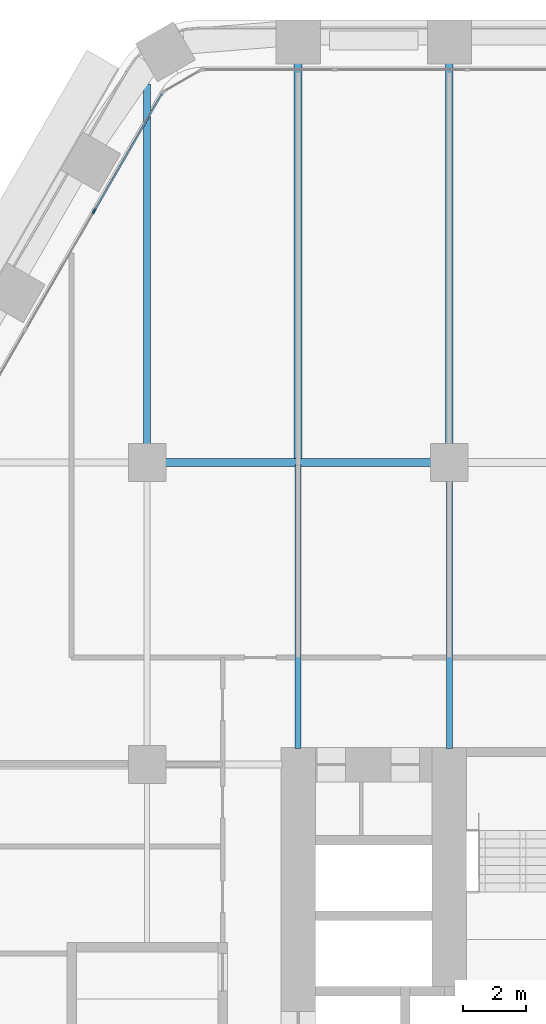
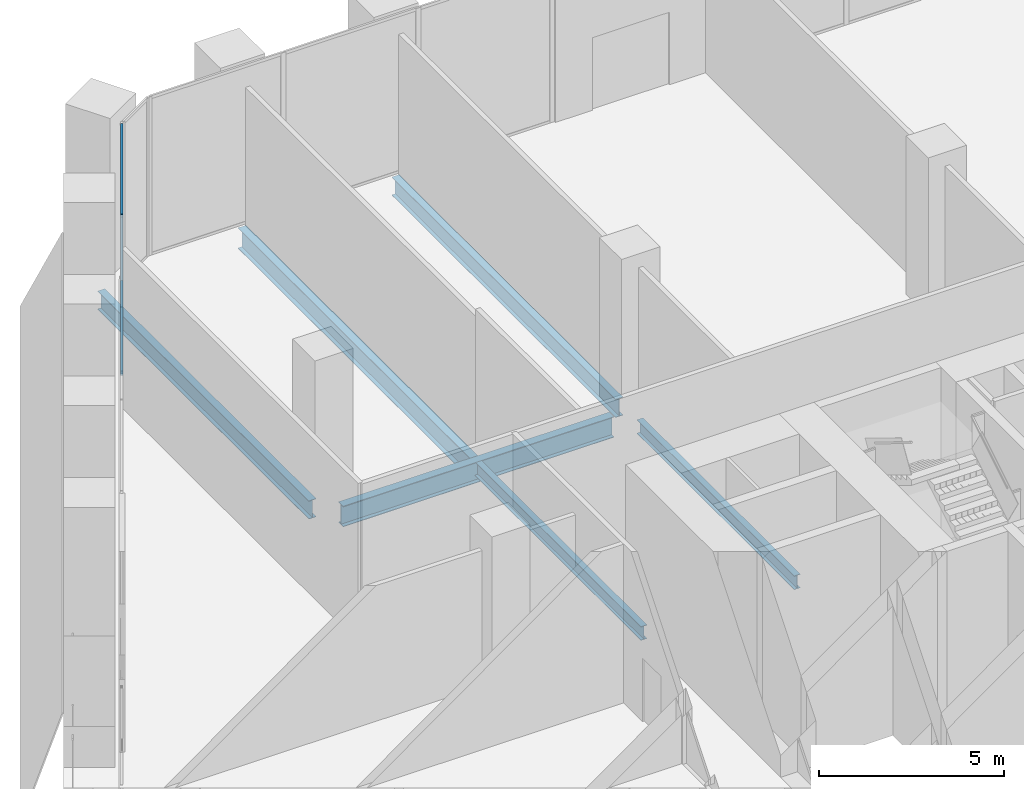
# One storey, part 8 of 27: 6 beams, 3 members, 1 element without a shape of its own.
"""IFC4 building model written with IfcOpenShell, lengths in metres."""

from ifc_helpers import new_model, si_unit, direction, frame, origin, origin_2d, place, context, subcontext, project, spatial, rectangle, i_section, extrude, material, material_profile, profile_set, type_object, element, aggregate, save


model = new_model("IFC4")

# Units and contexts
model_context = context("Model", 3, precision=1e-05, world=origin(), true_north=direction((0.0, 1.0)))
body_context = subcontext(model_context, "Body", "Model", "MODEL_VIEW")
ifc_project = project(units=[si_unit("LENGTHUNIT", "METRE"), si_unit("AREAUNIT", "SQUARE_METRE"), si_unit("VOLUMEUNIT", "CUBIC_METRE"), si_unit("PLANEANGLEUNIT", "RADIAN"), si_unit("MASSUNIT", "GRAM", prefix="KILO")], contexts=[model_context])

# Site, building, storey
site_placement = place(None, origin())
site = spatial("IfcSite", under=ifc_project, at=site_placement, CompositionType="ELEMENT")
building_placement = place(site_placement, origin())
building = spatial("IfcBuilding", under=site, at=building_placement, Name="Kolab Exchange Tower", CompositionType="ELEMENT")
storey_placement = place(building_placement, frame((0.0, 0.0, 27.89990234375)))
storey = spatial("IfcBuildingStorey", under=building, at=storey_placement, Name="L05", CompositionType="ELEMENT", Elevation=27.89990234375)

# Beams
ifc_material_1 = material(Name="Steel S355", Category="steel")
ifc_material_profile_1 = material_profile(ifc_material_1, i_section(OverallWidth=0.18994140625, OverallDepth=0.45703125, WebThickness=0.009033203125, FlangeThickness=0.014404296875, at=origin_2d()), Name="W460X74")
ifc_profile_set_1 = profile_set([ifc_material_profile_1], Name="Steel S355")
beam_type_1 = type_object("IfcBeamType", Name="FLOOR BEAM W460X74", PredefinedType="BEAM", material=ifc_profile_set_1)
beam_1_placement = place(storey_placement, frame((-14.39990234375, 10.110107421875, -0.478515625), z_axis=(0.0, 1.0, 0.0), x_axis=(-1.0, 0.0, 0.0)))
element("IfcBeam", 1, at=beam_1_placement, inside=storey, type_object=beam_type_1, Name="beam/L05/fr/020", PredefinedType="BEAM", context=body_context, shape_type="SweptSolid", body=[
    extrude(i_section(OverallWidth=0.18994140625, OverallDepth=0.45703125, WebThickness=0.009033203125, FlangeThickness=0.014404296875, at=origin_2d()), origin(), (0.0, 0.0, 1.0), 9.0029296875),
])
beam_2_placement = place(storey_placement, frame((-9.60009765625, 10.110107421875, -0.478515625), z_axis=(0.0, 1.0, 0.0), x_axis=(-1.0, 0.0, 0.0)))
element("IfcBeam", 2, at=beam_2_placement, inside=storey, type_object=beam_type_1, Name="beam/L05/fr/024", PredefinedType="BEAM", context=body_context, shape_type="SweptSolid", body=[
    extrude(i_section(OverallWidth=0.18994140625, OverallDepth=0.45703125, WebThickness=0.009033203125, FlangeThickness=0.014404296875, at=origin_2d()), origin(), (0.0, 0.0, 1.0), 8.52978515625),
])
ifc_material_profile_2 = material_profile(ifc_material_1, i_section(OverallWidth=0.22802734375, OverallDepth=0.60791015625, WebThickness=0.01123046875, FlangeThickness=0.017333984375, at=origin_2d()), Name="W610X113")
ifc_profile_set_2 = profile_set([ifc_material_profile_2], Name="Steel S355")
beam_type_2 = type_object("IfcBeamType", Name="FLOOR BEAM W610X113", PredefinedType="BEAM", material=ifc_profile_set_2)
beam_3_placement = place(storey_placement, frame((-19.199951171875, 19.760009765625, -0.553955078125), z_axis=(0.0, 1.0, 0.0), x_axis=(-1.0, 0.0, 0.0)))
element("IfcBeam", 3, at=beam_3_placement, inside=storey, type_object=beam_type_2, Name="beam/L05/fr/017", PredefinedType="BEAM", context=body_context, shape_type="SweptSolid", body=[
    extrude(i_section(OverallWidth=0.22802734375, OverallDepth=0.60791015625, WebThickness=0.01123046875, FlangeThickness=0.017333984375, at=origin_2d()), origin(), (0.0, 0.0, 1.0), 11.45458984375),
])
beam_4_placement = place(storey_placement, frame((-9.60009765625, 19.760009765625, -0.553955078125), z_axis=(0.0, 1.0, 0.0), x_axis=(-1.0, 0.0, 0.0)))
element("IfcBeam", 4, at=beam_4_placement, inside=storey, type_object=beam_type_2, Name="beam/L05/fr/025", PredefinedType="BEAM", context=body_context, shape_type="SweptSolid", body=[
    extrude(i_section(OverallWidth=0.22802734375, OverallDepth=0.60791015625, WebThickness=0.01123046875, FlangeThickness=0.017333984375, at=origin_2d()), origin(), (0.0, 0.0, 1.0), 12.135498046875),
])
ifc_material_profile_3 = material_profile(ifc_material_1, i_section(OverallWidth=0.25390625, OverallDepth=0.68408203125, WebThickness=0.012451171875, FlangeThickness=0.018798828125, at=origin_2d()), Name="W690X140")
ifc_profile_set_3 = profile_set([ifc_material_profile_3], Name="Steel S355")
beam_type_3 = type_object("IfcBeamType", Name="FLOOR BEAM W690X140", PredefinedType="BEAM", material=ifc_profile_set_3)
beam_5_placement = place(storey_placement, frame((-14.39990234375, 19.287109375, -0.591796875), z_axis=(0.0, 1.0, 0.0), x_axis=(-1.0, 0.0, 0.0)))
element("IfcBeam", 5, at=beam_5_placement, inside=storey, type_object=beam_type_3, Name="beam/L05/fr/021", PredefinedType="BEAM", context=body_context, shape_type="SweptSolid", body=[
    extrude(i_section(OverallWidth=0.25390625, OverallDepth=0.68408203125, WebThickness=0.012451171875, FlangeThickness=0.018798828125, at=origin_2d()), origin(), (0.0, 0.0, 1.0), 12.6083984375),
])
ifc_material_profile_4 = material_profile(ifc_material_1, i_section(OverallWidth=0.25390625, OverallDepth=0.68408203125, WebThickness=0.012451171875, FlangeThickness=0.018798828125, at=origin_2d()), Name="W690X140")
ifc_profile_set_4 = profile_set([ifc_material_profile_4], Name="Steel S355")
beam_type_4 = type_object("IfcBeamType", Name="FLOOR GIRDER W690X140", PredefinedType="BEAM", material=ifc_profile_set_4)
beam_6_placement = place(storey_placement, frame((-18.639892578125, 19.199951171875, -0.591796875), z_axis=(1.0, 0.0, 0.0), x_axis=(0.0, 1.0, 0.0)))
element("IfcBeam", 6, at=beam_6_placement, inside=storey, type_object=beam_type_4, Name="beam/L05/gd/009", PredefinedType="BEAM", context=body_context, shape_type="SweptSolid", body=[
    extrude(i_section(OverallWidth=0.25390625, OverallDepth=0.68408203125, WebThickness=0.012451171875, FlangeThickness=0.018798828125, at=origin_2d()), origin(), (0.0, 0.0, 1.0), 8.47998046875),
])

# Curtain wall, members
ifc_material_2 = material(Name="Aluminium EN AW-6063 T6", Category="aluminium")
curtain_wall_type = type_object("IfcCurtainWallType", Name="UNITISED LOW ZONE CURTAIN WALL", PredefinedType="NOTDEFINED", material=ifc_material_2)
curtain_wall_placement = place(storey_placement, origin())
curtain_wall = element("IfcCurtainWall", 7, at=curtain_wall_placement, inside=storey, type_object=curtain_wall_type, Name="cw/L05/F6-2", PredefinedType="NOTDEFINED")
ifc_material_profile_5 = material_profile(ifc_material_2, rectangle(XDim=0.06005859375, YDim=0.159912109375, at=origin_2d()), Name="RECT 60X160")
ifc_profile_set_5 = profile_set([ifc_material_profile_5], Name="Aluminium EN AW-6063 T6")
member_type_1 = type_object("IfcMemberType", Name="UNITISED LOW ZONE MULLION 60 X 160", PredefinedType="MULLION", material=ifc_profile_set_5)
member_1_placement = place(storey_placement, frame((-20.881103515625, 27.183349609375, 0.0), z_axis=(0.0, 0.0, 1.0), x_axis=(-0.866025397318, 0.5000000112, 0.0)))
member_1 = element("IfcMember", 8, at=member_1_placement, type_object=member_type_1, Name="CW1 mullion 4", PredefinedType="MULLION", context=body_context, shape_type="SweptSolid", body=[
    extrude(rectangle(XDim=0.06005859375, YDim=0.159912109375, at=origin_2d()), origin(), (0.0, 0.0, 1.0), 5.25),
])
ifc_material_profile_6 = material_profile(ifc_material_2, rectangle(XDim=0.06005859375, YDim=0.10009765625, at=origin_2d()), Name="RECT 60X100")
ifc_profile_set_6 = profile_set([ifc_material_profile_6], Name="Aluminium EN AW-6063 T6")
member_type_2 = type_object("IfcMemberType", Name="UNITISED LOW ZONE TRANSOM 60 X 100", PredefinedType="USERDEFINED", material=ifc_profile_set_6)
member_2_placement = place(storey_placement, frame((-20.8662109375, 27.20947265625, 0.030029296875), z_axis=(0.500000816281, 0.866024932504, 0.0), x_axis=(-0.866024932504, 0.500000816281, 0.0)))
member_2 = element("IfcMember", 9, at=member_2_placement, type_object=member_type_2, Name="CW1 transom 4.1", ObjectType="TRANSOM", PredefinedType="USERDEFINED", context=body_context, shape_type="SweptSolid", body=[
    extrude(rectangle(XDim=0.06005859375, YDim=0.10009765625, at=origin_2d()), origin(), (0.0, 0.0, 1.0), 4.27685546875),
])
member_3_placement = place(storey_placement, frame((-20.8662109375, 27.20947265625, 5.22021484375), z_axis=(0.500000816281, 0.866024932504, 0.0), x_axis=(-0.866024932504, 0.500000816281, 0.0)))
member_3 = element("IfcMember", 10, at=member_3_placement, type_object=member_type_2, Name="CW1 transom 4.2", ObjectType="TRANSOM", PredefinedType="USERDEFINED", context=body_context, shape_type="SweptSolid", body=[
    extrude(rectangle(XDim=0.06005859375, YDim=0.10009765625, at=origin_2d()), origin(), (0.0, 0.0, 1.0), 4.27685546875),
])
aggregate(curtain_wall, [member_1, member_2, member_3])

save(model, "model.ifc")
